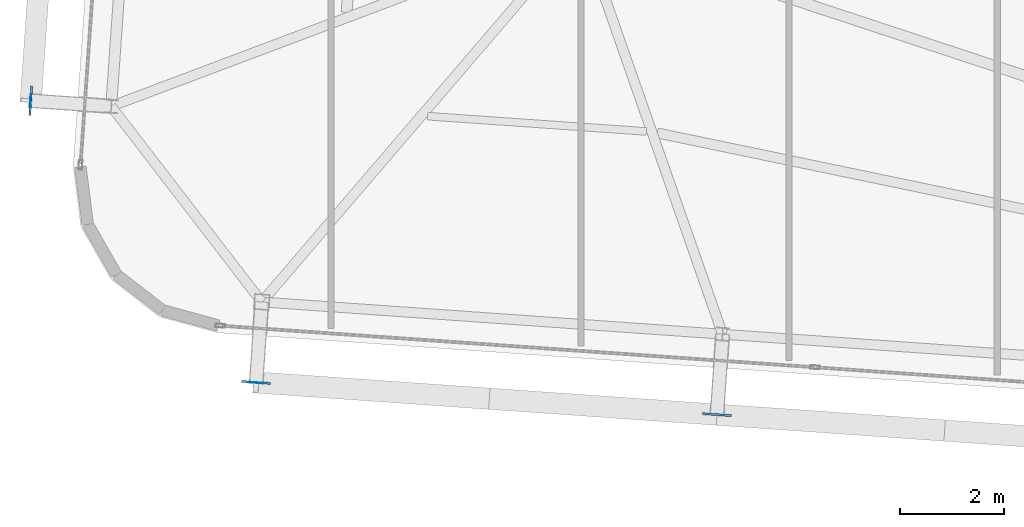
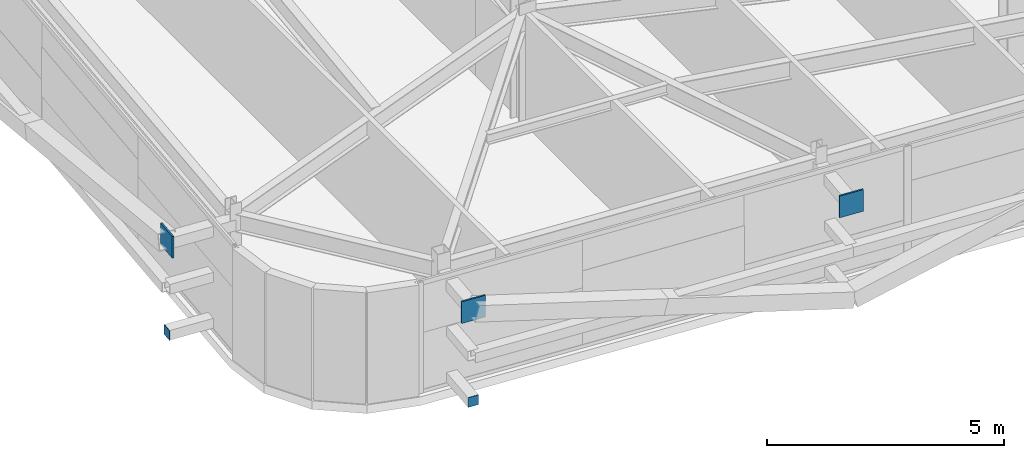
# One storey, part 27 of 39: 5 plates.
"""IFC4 building model written with IfcOpenShell, lengths in metres."""

from ifc_helpers import new_model, si_unit, direction, frame, origin, origin_2d, place, context, subcontext, project, spatial, rectangle, extrude, source, transform, mapped, material, layer, layer_set, type_object, element, save


model = new_model("IFC4")

# Units and contexts
model_context = context("Model", 3, precision=1e-05, world=origin(), true_north=direction((0.0, 1.0)))
body_context = subcontext(model_context, "Body", "Model", "MODEL_VIEW")
ifc_project = project(units=[si_unit("LENGTHUNIT", "METRE"), si_unit("AREAUNIT", "SQUARE_METRE"), si_unit("VOLUMEUNIT", "CUBIC_METRE"), si_unit("PLANEANGLEUNIT", "RADIAN"), si_unit("MASSUNIT", "GRAM", prefix="KILO")], contexts=[model_context])

# Site, building, storey
site_placement = place(None, origin())
site = spatial("IfcSite", under=ifc_project, at=site_placement, CompositionType="ELEMENT")
building_placement = place(site_placement, origin())
building = spatial("IfcBuilding", under=site, at=building_placement, Name="Taldren Reach Tower", CompositionType="ELEMENT")
storey_placement = place(building_placement, frame((0.0, 0.0, 161.35009765625)))
storey = spatial("IfcBuildingStorey", under=building, at=storey_placement, Name="L49", CompositionType="ELEMENT", Elevation=161.35009765625)

# Plates
ifc_material_1 = material(Name="Steel Gr 450 (C450L0)", Category="steel")
ifc_layer_1 = layer(ifc_material_1, 0.0400390625)
ifc_layer_set_1 = layer_set([ifc_layer_1], Name="Steel Gr 450 (C450L0)")
plate_type_1 = type_object("IfcPlateType", Name="PL-GUSSET-40", PredefinedType="SHEET", material=ifc_layer_set_1)
shared_shape_1 = source(origin(), body_context, "Body", "SweptSolid", [
    extrude(rectangle(XDim=0.56005859375, YDim=0.0400390625, at=origin_2d()), origin(), (0.0, 0.0, 1.0), 0.56005859375),
])
for number, where, z_axis, x_axis, name in (
    (1, (11.75537109375, 3.792236328125, 2.309814453125), (0.0, 0.0, 1.0), (0.99756405026, -0.069756473744, 0.0), "Exoskeleton star-node gusset plate B3-S1 L49"),
    (2, (20.61376953125, 3.1728515625, 2.309814453125), (0.0, 0.0, 1.0), (0.99756405026, -0.069756473744, 0.0), "Exoskeleton star-node gusset plate B3-S2 L49"),
    (3, (7.422607421875, 9.20751953125, 2.309814453125), (0.0, 0.0, 1.0), (0.069756473744, 0.99756405026, 0.0), "Exoskeleton star-node gusset plate B3-W1 L49"),
):
    element("IfcPlate", number, at=place(storey_placement, frame(where, z_axis=z_axis, x_axis=x_axis)), inside=storey, type_object=plate_type_1, Name=name, PredefinedType="SHEET", context=body_context, shape_type="MappedRepresentation", body=[
        mapped(shared_shape_1, transform((0.0, 0.0, 0.0), scale=1.0)),
    ])
ifc_material_2 = material(Name="Steel Gr 350 (C350L0)", Category="steel")
ifc_layer_2 = layer(ifc_material_2, 0.011962890625)
ifc_layer_set_2 = layer_set([ifc_layer_2], Name="Steel Gr 350 (C350L0)")
plate_type_2 = type_object("IfcPlateType", Name="PL-CAP-250", PredefinedType="SHEET", material=ifc_layer_set_2)
shared_shape_2 = source(origin(), body_context, "Body", "SweptSolid", [
    extrude(rectangle(XDim=0.25, YDim=0.011962890625, at=origin_2d()), origin(), (0.0, 0.0, 1.0), 0.25),
])
plate_1_placement = place(storey_placement, frame((11.755126953125, 3.7861328125, 0.094970703125), z_axis=(0.0, 0.0, 1.0), x_axis=(0.99756405026, -0.069756473744, 0.0)))
element("IfcPlate", 4, at=plate_1_placement, inside=storey, type_object=plate_type_2, Name="Tie strut end cap plate B3-S1 L49", PredefinedType="SHEET", context=body_context, shape_type="MappedRepresentation", body=[
    mapped(shared_shape_2, transform((0.0, 0.0, 0.0), scale=1.0)),
])
shared_shape_3 = source(origin(), body_context, "Body", "SweptSolid", [
    extrude(rectangle(XDim=0.011962890625, YDim=0.25, at=origin_2d()), origin(), (0.0, 0.0, 1.0), 0.25),
])
plate_2_placement = place(storey_placement, frame((7.416748046875, 9.2080078125, 0.094970703125), z_axis=(0.0, 0.0, 1.0), x_axis=(0.99756405026, -0.069756473744, 0.0)))
element("IfcPlate", 5, at=plate_2_placement, inside=storey, type_object=plate_type_2, Name="Tie strut end cap plate B3-W1 L49", PredefinedType="SHEET", context=body_context, shape_type="MappedRepresentation", body=[
    mapped(shared_shape_3, transform((0.0, 0.0, 0.0), scale=1.0)),
])

save(model, "model.ifc")
